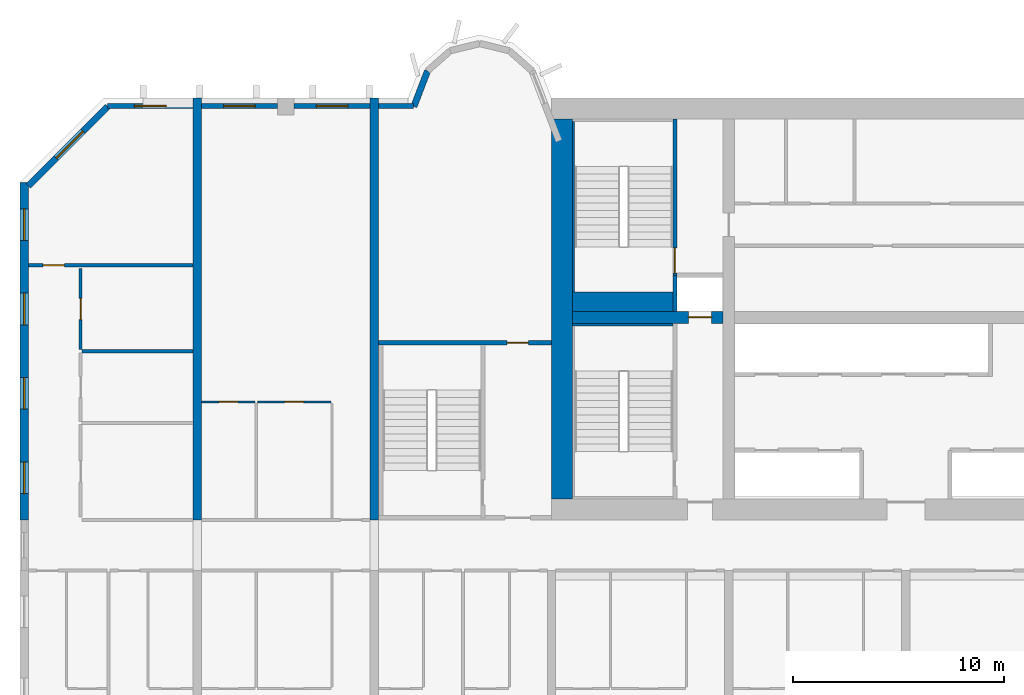
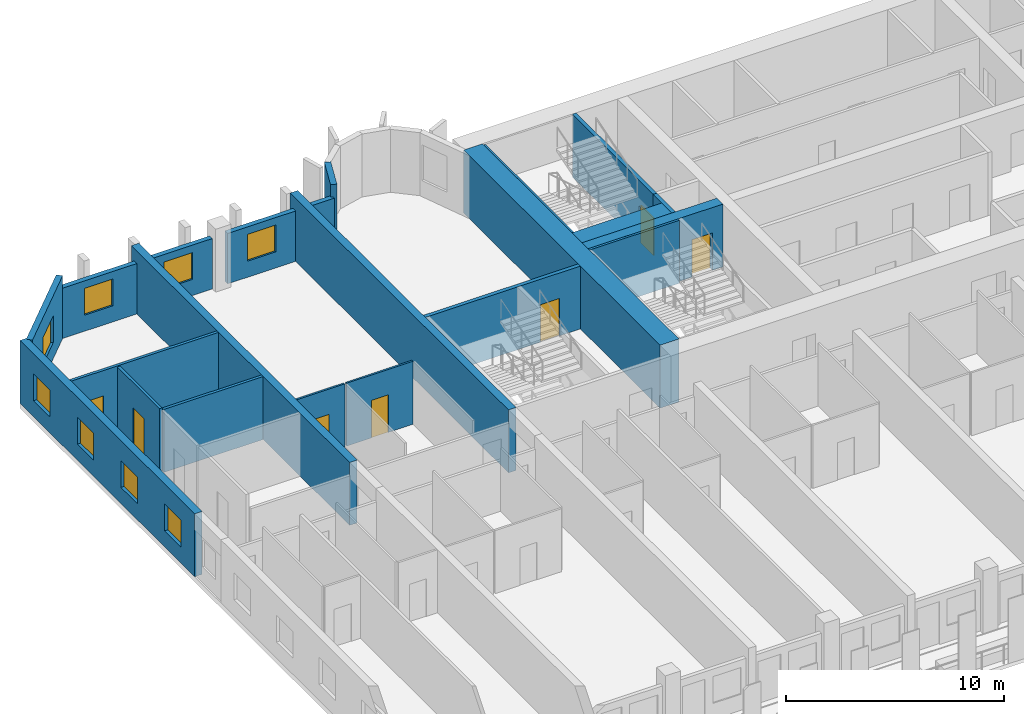
# One storey, part 6 of 14: 22 walls, 8 windows, 7 doors, 15 openings.
"""IFC4 building model written with IfcOpenShell, lengths in metres."""

from ifc_helpers import new_model, si_unit, direction, frame, frame_2d, origin, place, context, subcontext, project, spatial, rectangle, extrude, source, transform, mapped, material, layer, layer_set, type_object, element, fill, save


model = new_model("IFC4")

# Units and contexts
model_context = context("Model", 3, precision=1e-05, world=origin(), true_north=direction((0.0, 1.0)))
body_context = subcontext(model_context, "Body", "Model", "MODEL_VIEW")
ifc_project = project(units=[si_unit("LENGTHUNIT", "METRE"), si_unit("AREAUNIT", "SQUARE_METRE"), si_unit("VOLUMEUNIT", "CUBIC_METRE"), si_unit("PLANEANGLEUNIT", "RADIAN"), si_unit("MASSUNIT", "GRAM", prefix="KILO")], contexts=[model_context])

# Site, building, storey
site_placement = place(None, origin())
site = spatial("IfcSite", under=ifc_project, at=site_placement, CompositionType="ELEMENT")
building_placement = place(site_placement, origin())
building = spatial("IfcBuilding", under=site, at=building_placement, Name="Vanashikhar Sky Hotel", CompositionType="ELEMENT")
storey_placement = place(building_placement, frame((0.0, 0.0, 50.60009765625)))
storey = spatial("IfcBuildingStorey", under=building, at=storey_placement, Name="L11", CompositionType="ELEMENT", Elevation=50.60009765625)

# Wall
ifc_material_1 = material(Name="Concrete M80", Category="concrete")
ifc_layer_1 = layer(ifc_material_1, 1.0)
ifc_layer_set_1 = layer_set([ifc_layer_1], Name="RC core shell wall 1000 Concrete M80")
wall_type_1 = type_object("IfcWallType", Name="RC core shell wall 1000 Concrete M80", PredefinedType="SHEAR", material=ifc_layer_set_1)
shared_shape_1 = source(origin(), body_context, "Body", "SweptSolid", [
    extrude(rectangle(XDim=18.0, YDim=1.0, at=frame_2d((9.0, 0.0))), origin(), (0.0, 0.0, 1.0), 3.52001953125),
])
wall_1_placement = place(storey_placement, frame((25.699951171875, 23.0, 0.0), z_axis=(0.0, 0.0, 1.0), x_axis=(0.0, 1.0, 0.0)))
element("IfcWall", 1, at=wall_1_placement, inside=storey, type_object=wall_type_1, Name="KW-L11-KW", PredefinedType="SHEAR", context=body_context, shape_type="MappedRepresentation", body=[
    mapped(shared_shape_1, transform((0.0, 0.0, 0.0), scale=1.0)),
])

# Wall, opening, door
ifc_layer_2 = layer(ifc_material_1, 0.550048828125)
ifc_layer_set_2 = layer_set([ifc_layer_2], Name="RC core inner wall 550 Concrete M80")
wall_type_2 = type_object("IfcWallType", Name="RC core inner wall 550 Concrete M80", PredefinedType="SHEAR", material=ifc_layer_set_2)
shared_shape_2 = source(origin(), body_context, "Body", "SweptSolid", [
    extrude(rectangle(XDim=7.125, YDim=0.550048828125, at=frame_2d((3.5625, 0.0))), origin(), (0.0, 0.0, 1.0), 3.52001953125),
])
wall_2_placement = place(storey_placement, frame((26.199951171875, 31.60009765625, 0.0), z_axis=(0.0, 0.0, 1.0), x_axis=(1.0, 0.0, 0.0)))
wall_2 = element("IfcWall", 2, at=wall_2_placement, inside=storey, type_object=wall_type_2, Name="KW-L11-KY1", PredefinedType="SHEAR", context=body_context, shape_type="MappedRepresentation", body=[
    mapped(shared_shape_2, transform((0.0, 0.0, 0.0), scale=1.0)),
])
shared_shape_3 = source(origin(), body_context, "Body", "SweptSolid", [
    extrude(rectangle(XDim=1.10009765625, YDim=2.10009765625, at=frame_2d((0.550048828125, 1.050048828125))), frame((0.0, 0.28515625, 0.0), z_axis=(0.0, -1.0, 0.0), x_axis=(1.0, 0.0, 0.0)), (0.0, 0.0, 1.0), 0.570068359375),
])
opening_1_placement = place(wall_2_placement, frame((5.488037109375, 0.0, 0.0)))
opening_1 = element("IfcOpeningElement", 3, at=opening_1_placement, cuts=wall_2, Name="Opening LD", PredefinedType="OPENING", context=body_context, shape_type="MappedRepresentation", body=[
    mapped(shared_shape_3, transform((0.0, 0.0, 0.0), scale=1.0)),
])
ifc_material_2 = material(Name="Stainless steel", Category="steel")
door_type_1 = type_object("IfcDoorType", Name="Lift landing door 1100", OperationType="NOTDEFINED", PredefinedType="DOOR", material=ifc_material_2)
shared_shape_4 = source(origin(), body_context, "Body", "SweptSolid", [
    extrude(rectangle(XDim=1.10009765625, YDim=2.10009765625, at=frame_2d((0.550048828125, 1.050048828125))), frame((0.0, 0.02490234375, 0.0), z_axis=(0.0, -1.0, 0.0), x_axis=(1.0, 0.0, 0.0)), (0.0, 0.0, 1.0), 0.050048828125),
])
door_1_placement = place(opening_1_placement, origin())
door_1 = element("IfcDoor", 4, at=door_1_placement, inside=storey, type_object=door_type_1, Name="Lift landing door 1100", OperationType="SLIDING_TO_LEFT", OverallHeight=2.10009765625, OverallWidth=1.10009765625, PredefinedType="DOOR", context=body_context, shape_type="MappedRepresentation", body=[
    mapped(shared_shape_4, transform((0.0, 0.0, 0.0), scale=1.0)),
])
fill(opening_1, door_1)

# Wall, openings, windows
ifc_layer_3 = layer(ifc_material_1, 0.39990234375)
ifc_layer_set_3 = layer_set([ifc_layer_3], Name="RC shear wall 400 Concrete M80")
wall_type_3 = type_object("IfcWallType", Name="RC shear wall 400 Concrete M80", PredefinedType="SHEAR", material=ifc_layer_set_3)
shared_shape_5 = source(origin(), body_context, "Body", "SweptSolid", [
    extrude(rectangle(XDim=16.0, YDim=0.39990234375, at=frame_2d((8.0, 0.0))), origin(), (0.0, 0.0, 1.0), 3.52001953125),
])
wall_3_placement = place(storey_placement, frame((0.199951171875, 22.0, 0.0), z_axis=(0.0, 0.0, 1.0), x_axis=(0.0, 1.0, 0.0)))
wall_3 = element("IfcWall", 5, at=wall_3_placement, inside=storey, type_object=wall_type_3, Name="CW-L11-XW01-2", PredefinedType="SHEAR", context=body_context, shape_type="MappedRepresentation", body=[
    mapped(shared_shape_5, transform((0.0, 0.0, 0.0), scale=1.0)),
])
shared_shape_6 = source(origin(), body_context, "Body", "SweptSolid", [
    extrude(rectangle(XDim=1.5, YDim=1.5, at=frame_2d((0.75, 0.75))), frame((0.0, 0.2099609375, 0.0), z_axis=(0.0, -1.0, 0.0), x_axis=(1.0, 0.0, 0.0)), (0.0, 0.0, 1.0), 0.419921875),
])
opening_2_placement = place(wall_3_placement, frame((1.25, 0.0, 0.89990234375)))
opening_2 = element("IfcOpeningElement", 6, at=opening_2_placement, cuts=wall_3, Name="Opening WN-1", PredefinedType="OPENING", context=body_context, shape_type="MappedRepresentation", body=[
    mapped(shared_shape_6, transform((0.0, 0.0, 0.0), scale=1.0)),
])
opening_3_placement = place(wall_3_placement, frame((5.25, 0.0, 0.89990234375)))
opening_3 = element("IfcOpeningElement", 7, at=opening_3_placement, cuts=wall_3, Name="Opening WN-1", PredefinedType="OPENING", context=body_context, shape_type="MappedRepresentation", body=[
    mapped(shared_shape_6, transform((0.0, 0.0, 0.0), scale=1.0)),
])
opening_4_placement = place(wall_3_placement, frame((9.25, 0.0, 0.89990234375)))
opening_4 = element("IfcOpeningElement", 8, at=opening_4_placement, cuts=wall_3, Name="Opening WN-1", PredefinedType="OPENING", context=body_context, shape_type="MappedRepresentation", body=[
    mapped(shared_shape_6, transform((0.0, 0.0, 0.0), scale=1.0)),
])
opening_5_placement = place(wall_3_placement, frame((13.25, 0.0, 0.89990234375)))
opening_5 = element("IfcOpeningElement", 9, at=opening_5_placement, cuts=wall_3, Name="Opening WN-1", PredefinedType="OPENING", context=body_context, shape_type="MappedRepresentation", body=[
    mapped(shared_shape_6, transform((0.0, 0.0, 0.0), scale=1.0)),
])
ifc_material_3 = material(Name="Glass", Category="glass")
window_type_1 = type_object("IfcWindowType", Name="Window 1500 x 1500", PartitioningType="SINGLE_PANEL", PredefinedType="WINDOW", material=ifc_material_3)
shared_shape_7 = source(origin(), body_context, "Body", "SweptSolid", [
    extrude(rectangle(XDim=1.5, YDim=1.5, at=frame_2d((0.75, 0.75))), frame((0.0, 0.030029296875, 0.0), z_axis=(0.0, -1.0, 0.0), x_axis=(1.0, 0.0, 0.0)), (0.0, 0.0, 1.0), 0.06005859375),
])
window_1_placement = place(opening_2_placement, origin())
window_1 = element("IfcWindow", 10, at=window_1_placement, inside=storey, type_object=window_type_1, Name="Window WN-1", OverallHeight=1.5, OverallWidth=1.5, PartitioningType="SINGLE_PANEL", PredefinedType="WINDOW", context=body_context, shape_type="MappedRepresentation", body=[
    mapped(shared_shape_7, transform((0.0, 0.0, 0.0), scale=1.0)),
])
fill(opening_2, window_1)
window_2_placement = place(opening_3_placement, origin())
window_2 = element("IfcWindow", 11, at=window_2_placement, inside=storey, type_object=window_type_1, Name="Window WN-1", OverallHeight=1.5, OverallWidth=1.5, PartitioningType="SINGLE_PANEL", PredefinedType="WINDOW", context=body_context, shape_type="MappedRepresentation", body=[
    mapped(shared_shape_7, transform((0.0, 0.0, 0.0), scale=1.0)),
])
fill(opening_3, window_2)
window_3_placement = place(opening_4_placement, origin())
window_3 = element("IfcWindow", 12, at=window_3_placement, inside=storey, type_object=window_type_1, Name="Window WN-1", OverallHeight=1.5, OverallWidth=1.5, PartitioningType="SINGLE_PANEL", PredefinedType="WINDOW", context=body_context, shape_type="MappedRepresentation", body=[
    mapped(shared_shape_7, transform((0.0, 0.0, 0.0), scale=1.0)),
])
fill(opening_4, window_3)
window_4_placement = place(opening_5_placement, origin())
window_4 = element("IfcWindow", 13, at=window_4_placement, inside=storey, type_object=window_type_1, Name="Window WN-1", OverallHeight=1.5, OverallWidth=1.5, PartitioningType="SINGLE_PANEL", PredefinedType="WINDOW", context=body_context, shape_type="MappedRepresentation", body=[
    mapped(shared_shape_7, transform((0.0, 0.0, 0.0), scale=1.0)),
])
fill(opening_5, window_4)

# Walls
shared_shape_8 = source(origin(), body_context, "Body", "SweptSolid", [
    extrude(rectangle(XDim=20.0, YDim=0.39990234375, at=frame_2d((10.0, 0.0))), origin(), (0.0, 0.0, 1.0), 3.52001953125),
])
for number, where, z_axis, x_axis, name in (
    (14, (8.39990234375, 22.0, 0.0), (0.0, 0.0, 1.0), (0.0, 1.0, 0.0), "CW-L11-XW02-2"),
    (15, (16.800048828125, 22.0, 0.0), (0.0, 0.0, 1.0), (0.0, 1.0, 0.0), "CW-L11-XW03-2"),
):
    element("IfcWall", number, at=place(storey_placement, frame(where, z_axis=z_axis, x_axis=x_axis)), inside=storey, type_object=wall_type_3, Name=name, PredefinedType="SHEAR", context=body_context, shape_type="MappedRepresentation", body=[
        mapped(shared_shape_8, transform((0.0, 0.0, 0.0), scale=1.0)),
    ])

# Wall, opening, window
ifc_material_4 = material(Name="Concrete M50", Category="concrete")
ifc_layer_4 = layer(ifc_material_4, 0.300048828125)
ifc_layer_set_4 = layer_set([ifc_layer_4], Name="Lobe wall 300")
wall_type_4 = type_object("IfcWallType", Name="Lobe wall 300", PredefinedType="SOLIDWALL", material=ifc_layer_set_4)
shared_shape_9 = source(origin(), body_context, "Body", "SweptSolid", [
    extrude(rectangle(XDim=5.32568359375, YDim=0.300048828125, at=frame_2d((2.662841796875, 0.0))), origin(), (0.0, 0.0, 1.0), 3.52001953125),
])
wall_4_placement = place(storey_placement, frame((4.165771484375, 41.60009765625, 0.0), z_axis=(0.0, 0.0, 1.0), x_axis=(-0.707106781187, -0.707106781187, 0.0)))
wall_4 = element("IfcWall", 16, at=wall_4_placement, inside=storey, type_object=wall_type_4, Name="Corner wall", PredefinedType="SOLIDWALL", context=body_context, shape_type="MappedRepresentation", body=[
    mapped(shared_shape_9, transform((0.0, 0.0, 0.0), scale=1.0)),
])
shared_shape_10 = source(origin(), body_context, "Body", "SweptSolid", [
    extrude(rectangle(XDim=1.800048828125, YDim=1.5, at=frame_2d((0.89990234375, 0.75))), frame((0.0, 0.16015625, 0.0), z_axis=(0.0, -1.0, 0.0), x_axis=(1.0, 0.0, 0.0)), (0.0, 0.0, 1.0), 0.320068359375),
])
opening_6_placement = place(wall_4_placement, frame((1.654296875, 0.0, 0.89990234375)))
opening_6 = element("IfcOpeningElement", 17, at=opening_6_placement, cuts=wall_4, Name="Opening WN-4", PredefinedType="OPENING", context=body_context, shape_type="MappedRepresentation", body=[
    mapped(shared_shape_10, transform((0.0, 0.0, 0.0), scale=1.0)),
])
window_type_2 = type_object("IfcWindowType", Name="Corner window 1800 x 1500", PartitioningType="SINGLE_PANEL", PredefinedType="WINDOW", material=ifc_material_3)
shared_shape_11 = source(origin(), body_context, "Body", "SweptSolid", [
    extrude(rectangle(XDim=1.800048828125, YDim=1.5, at=frame_2d((0.89990234375, 0.75))), frame((0.0, 0.030029296875, 0.0), z_axis=(0.0, -1.0, 0.0), x_axis=(1.0, 0.0, 0.0)), (0.0, 0.0, 1.0), 0.06005859375),
])
window_5_placement = place(opening_6_placement, origin())
window_5 = element("IfcWindow", 18, at=window_5_placement, inside=storey, type_object=window_type_2, Name="Window WN-4", OverallHeight=1.5, OverallWidth=1.800048828125, PartitioningType="SINGLE_PANEL", PredefinedType="WINDOW", context=body_context, shape_type="MappedRepresentation", body=[
    mapped(shared_shape_11, transform((0.0, 0.0, 0.0), scale=1.0)),
])
fill(opening_6, window_5)

# Walls
shared_shape_12 = source(origin(), body_context, "Body", "SweptSolid", [
    extrude(rectangle(XDim=1.81201171875, YDim=0.300048828125, at=frame_2d((0.906005859375, 0.0))), origin(), (0.0, 0.0, 1.0), 3.52001953125),
])
wall_5_placement = place(storey_placement, frame((19.323486328125, 43.2919921875, 0.0), z_axis=(0.0, 0.0, 1.0), x_axis=(-0.357877270961, -0.93376863244, 0.0)))
element("IfcWall", 19, at=wall_5_placement, inside=storey, type_object=wall_type_4, Name="Lobe wall", PredefinedType="SOLIDWALL", context=body_context, shape_type="MappedRepresentation", body=[
    mapped(shared_shape_12, transform((0.0, 0.0, 0.0), scale=1.0)),
])
ifc_layer_5 = layer(ifc_material_4, 0.25)
ifc_layer_set_5 = layer_set([ifc_layer_5], Name="Rear and end board-marked wall 250")
wall_type_5 = type_object("IfcWallType", Name="Rear and end board-marked wall 250", PredefinedType="SOLIDWALL", material=ifc_layer_set_5)
shared_shape_13 = source(origin(), body_context, "Body", "SweptSolid", [
    extrude(rectangle(XDim=1.657958984375, YDim=0.25, at=frame_2d((0.8291015625, 0.0))), origin(), (0.0, 0.0, 1.0), 2.81982421875),
])
wall_6_placement = place(storey_placement, frame((18.657958984375, 41.625, 0.0), z_axis=(0.0, 0.0, 1.0), x_axis=(-1.0, 0.0, 0.0)))
element("IfcWall", 20, at=wall_6_placement, inside=storey, type_object=wall_type_5, Name="Rear board-marked wall", PredefinedType="SOLIDWALL", context=body_context, shape_type="MappedRepresentation", body=[
    mapped(shared_shape_13, transform((0.0, 0.0, 0.0), scale=1.0)),
])

# Wall, opening, window
shared_shape_14 = source(origin(), body_context, "Body", "SweptSolid", [
    extrude(rectangle(XDim=3.60009765625, YDim=0.25, at=frame_2d((1.800048828125, 0.0))), origin(), (0.0, 0.0, 1.0), 2.81982421875),
])
wall_7_placement = place(storey_placement, frame((16.60009765625, 41.625, 0.0), z_axis=(0.0, 0.0, 1.0), x_axis=(-1.0, 0.0, 0.0)))
wall_7 = element("IfcWall", 21, at=wall_7_placement, inside=storey, type_object=wall_type_5, Name="Rear board-marked wall", PredefinedType="SOLIDWALL", context=body_context, shape_type="MappedRepresentation", body=[
    mapped(shared_shape_14, transform((0.0, 0.0, 0.0), scale=1.0)),
])
shared_shape_15 = source(origin(), body_context, "Body", "SweptSolid", [
    extrude(rectangle(XDim=1.5, YDim=1.5, at=frame_2d((0.75, 0.75))), frame((0.0, 0.135009765625, 0.0), z_axis=(0.0, -1.0, 0.0), x_axis=(1.0, 0.0, 0.0)), (0.0, 0.0, 1.0), 0.27001953125),
])
opening_7_placement = place(wall_7_placement, frame((1.050048828125, 0.0, 0.89990234375)))
opening_7 = element("IfcOpeningElement", 22, at=opening_7_placement, cuts=wall_7, Name="Opening WN-1", PredefinedType="OPENING", context=body_context, shape_type="MappedRepresentation", body=[
    mapped(shared_shape_15, transform((0.0, 0.0, 0.0), scale=1.0)),
])
window_6_placement = place(opening_7_placement, origin())
window_6 = element("IfcWindow", 23, at=window_6_placement, inside=storey, type_object=window_type_1, Name="Window WN-1", OverallHeight=1.5, OverallWidth=1.5, PartitioningType="SINGLE_PANEL", PredefinedType="WINDOW", context=body_context, shape_type="MappedRepresentation", body=[
    mapped(shared_shape_7, transform((0.0, 0.0, 0.0), scale=1.0)),
])
fill(opening_7, window_6)

shared_shape_16 = source(origin(), body_context, "Body", "SweptSolid", [
    extrude(rectangle(XDim=3.599853515625, YDim=0.25, at=frame_2d((1.7998046875, 0.0))), origin(), (0.0, 0.0, 1.0), 2.81982421875),
])
wall_8_placement = place(storey_placement, frame((12.199951171875, 41.625, 0.0), z_axis=(0.0, 0.0, 1.0), x_axis=(-1.0, 0.0, 0.0)))
wall_8 = element("IfcWall", 24, at=wall_8_placement, inside=storey, type_object=wall_type_5, Name="Rear board-marked wall", PredefinedType="SOLIDWALL", context=body_context, shape_type="MappedRepresentation", body=[
    mapped(shared_shape_16, transform((0.0, 0.0, 0.0), scale=1.0)),
])
opening_8_placement = place(wall_8_placement, frame((1.050048828125, 0.0, 0.89990234375)))
opening_8 = element("IfcOpeningElement", 25, at=opening_8_placement, cuts=wall_8, Name="Opening WN-1", PredefinedType="OPENING", context=body_context, shape_type="MappedRepresentation", body=[
    mapped(shared_shape_15, transform((0.0, 0.0, 0.0), scale=1.0)),
])
window_7_placement = place(opening_8_placement, origin())
window_7 = element("IfcWindow", 26, at=window_7_placement, inside=storey, type_object=window_type_1, Name="Window WN-1", OverallHeight=1.5, OverallWidth=1.5, PartitioningType="SINGLE_PANEL", PredefinedType="WINDOW", context=body_context, shape_type="MappedRepresentation", body=[
    mapped(shared_shape_7, transform((0.0, 0.0, 0.0), scale=1.0)),
])
fill(opening_8, window_7)

shared_shape_17 = source(origin(), body_context, "Body", "SweptSolid", [
    extrude(rectangle(XDim=4.044677734375, YDim=0.25, at=frame_2d((2.0224609375, 0.0))), origin(), (0.0, 0.0, 1.0), 2.81982421875),
])
wall_9_placement = place(storey_placement, frame((8.199951171875, 41.625, 0.0), z_axis=(0.0, 0.0, 1.0), x_axis=(-1.0, 0.0, 0.0)))
wall_9 = element("IfcWall", 27, at=wall_9_placement, inside=storey, type_object=wall_type_5, Name="Rear board-marked wall", PredefinedType="SOLIDWALL", context=body_context, shape_type="MappedRepresentation", body=[
    mapped(shared_shape_17, transform((0.0, 0.0, 0.0), scale=1.0)),
])
opening_9_placement = place(wall_9_placement, frame((1.2724609375, 0.0, 0.89990234375)))
opening_9 = element("IfcOpeningElement", 28, at=opening_9_placement, cuts=wall_9, Name="Opening WN-1", PredefinedType="OPENING", context=body_context, shape_type="MappedRepresentation", body=[
    mapped(shared_shape_15, transform((0.0, 0.0, 0.0), scale=1.0)),
])
window_8_placement = place(opening_9_placement, origin())
window_8 = element("IfcWindow", 29, at=window_8_placement, inside=storey, type_object=window_type_1, Name="Window WN-1", OverallHeight=1.5, OverallWidth=1.5, PartitioningType="SINGLE_PANEL", PredefinedType="WINDOW", context=body_context, shape_type="MappedRepresentation", body=[
    mapped(shared_shape_7, transform((0.0, 0.0, 0.0), scale=1.0)),
])
fill(opening_9, window_8)

# Wall, opening, door
ifc_layer_6 = layer(ifc_material_4, 0.199951171875)
ifc_layer_set_6 = layer_set([ifc_layer_6], Name="Stair wall 200")
wall_type_6 = type_object("IfcWallType", Name="Stair wall 200", PredefinedType="SOLIDWALL", material=ifc_layer_set_6)
shared_shape_18 = source(origin(), body_context, "Body", "SweptSolid", [
    extrude(rectangle(XDim=8.199951171875, YDim=0.199951171875, at=frame_2d((4.10009765625, 0.0))), origin(), (0.0, 0.0, 1.0), 3.52001953125),
])
wall_10_placement = place(storey_placement, frame((17.0, 30.39990234375, 0.0), z_axis=(0.0, 0.0, 1.0), x_axis=(1.0, 0.0, 0.0)))
wall_10 = element("IfcWall", 30, at=wall_10_placement, inside=storey, type_object=wall_type_6, Name="Stair wall 200", PredefinedType="SOLIDWALL", context=body_context, shape_type="MappedRepresentation", body=[
    mapped(shared_shape_18, transform((0.0, 0.0, 0.0), scale=1.0)),
])
shared_shape_19 = source(origin(), body_context, "Body", "SweptSolid", [
    extrude(rectangle(XDim=1.0, YDim=2.10009765625, at=frame_2d((0.5, 1.050048828125))), frame((0.0, 0.10986328125, 0.0), z_axis=(0.0, -1.0, 0.0), x_axis=(1.0, 0.0, 0.0)), (0.0, 0.0, 1.0), 0.219970703125),
])
opening_10_placement = place(wall_10_placement, frame((6.10009765625, 0.0, 0.0)))
opening_10 = element("IfcOpeningElement", 31, at=opening_10_placement, cuts=wall_10, Name="Opening DC-6", PredefinedType="OPENING", context=body_context, shape_type="MappedRepresentation", body=[
    mapped(shared_shape_19, transform((0.0, 0.0, 0.0), scale=1.0)),
])
ifc_material_5 = material(Name="Steel", Category="steel")
door_type_2 = type_object("IfcDoorType", Name="Pocket door 1000 FD60", OperationType="NOTDEFINED", PredefinedType="DOOR", material=ifc_material_5)
shared_shape_20 = source(origin(), body_context, "Body", "SweptSolid", [
    extrude(rectangle(XDim=1.0, YDim=2.10009765625, at=frame_2d((0.5, 1.050048828125))), frame((0.0, 0.02490234375, 0.0), z_axis=(0.0, -1.0, 0.0), x_axis=(1.0, 0.0, 0.0)), (0.0, 0.0, 1.0), 0.050048828125),
])
door_2_placement = place(opening_10_placement, origin())
door_2 = element("IfcDoor", 32, at=door_2_placement, inside=storey, type_object=door_type_2, Name="Pocket door 1000 FD60", OperationType="SINGLE_SWING_RIGHT", OverallHeight=2.10009765625, OverallWidth=1.0, PredefinedType="DOOR", context=body_context, shape_type="MappedRepresentation", body=[
    mapped(shared_shape_20, transform((0.0, 0.0, 0.0), scale=1.0)),
])
fill(opening_10, door_2)

# Walls
ifc_layer_7 = layer(ifc_material_4, 0.10009765625)
ifc_layer_set_7 = layer_set([ifc_layer_7], Name="Stair infill wall 100")
wall_type_7 = type_object("IfcWallType", Name="Stair infill wall 100", PredefinedType="SOLIDWALL", material=ifc_layer_set_7)
shared_shape_21 = source(origin(), body_context, "Body", "SweptSolid", [
    extrude(rectangle(XDim=8.099853515625, YDim=0.10009765625, at=frame_2d((4.0498046875, 0.0))), origin(), (0.0, 0.0, 1.0), 3.52001953125),
])
wall_11_placement = place(storey_placement, frame((26.25, 32.800048828125, 0.0), z_axis=(0.0, 0.0, 1.0), x_axis=(0.0, 1.0, 0.0)))
element("IfcWall", 33, at=wall_11_placement, inside=storey, type_object=wall_type_7, Name="Stair infill wall 100", PredefinedType="SOLIDWALL", context=body_context, shape_type="MappedRepresentation", body=[
    mapped(shared_shape_21, transform((0.0, 0.0, 0.0), scale=1.0)),
])
ifc_material_6 = material(Name="Concrete M40", Category="concrete")
ifc_layer_8 = layer(ifc_material_6, 0.199951171875)
ifc_layer_set_8 = layer_set([ifc_layer_8], Name="Shaft wall 200")
wall_type_8 = type_object("IfcWallType", Name="Shaft wall 200", PredefinedType="SOLIDWALL", material=ifc_layer_set_8)
shared_shape_22 = source(origin(), body_context, "Body", "SweptSolid", [
    extrude(rectangle(XDim=1.72509765625, YDim=0.199951171875, at=frame_2d((0.862548828125, 0.0))), origin(), (0.0, 0.0, 1.0), 3.52001953125),
])
wall_12_placement = place(storey_placement, frame((31.050048828125, 31.875, 0.0), z_axis=(0.0, 0.0, 1.0), x_axis=(0.0, 1.0, 0.0)))
element("IfcWall", 34, at=wall_12_placement, inside=storey, type_object=wall_type_8, Name="Shaft wall 200", PredefinedType="SOLIDWALL", context=body_context, shape_type="MappedRepresentation", body=[
    mapped(shared_shape_22, transform((0.0, 0.0, 0.0), scale=1.0)),
])

# Wall, opening, door
shared_shape_23 = source(origin(), body_context, "Body", "SweptSolid", [
    extrude(rectangle(XDim=7.39990234375, YDim=0.199951171875, at=frame_2d((3.699951171875, 0.0))), origin(), (0.0, 0.0, 1.0), 3.52001953125),
])
wall_13_placement = place(storey_placement, frame((31.050048828125, 33.60009765625, 0.0), z_axis=(0.0, 0.0, 1.0), x_axis=(0.0, 1.0, 0.0)))
wall_13 = element("IfcWall", 35, at=wall_13_placement, inside=storey, type_object=wall_type_6, Name="Stair wall 200", PredefinedType="SOLIDWALL", context=body_context, shape_type="MappedRepresentation", body=[
    mapped(shared_shape_23, transform((0.0, 0.0, 0.0), scale=1.0)),
])
shared_shape_24 = source(origin(), body_context, "Body", "SweptSolid", [
    extrude(rectangle(XDim=1.199951171875, YDim=2.10009765625, at=frame_2d((0.60009765625, 1.050048828125))), frame((0.0, 0.10986328125, 0.0), z_axis=(0.0, -1.0, 0.0), x_axis=(1.0, 0.0, 0.0)), (0.0, 0.0, 1.0), 0.219970703125),
])
opening_11_placement = place(wall_13_placement, frame((0.10009765625, 0.0, 0.0)))
opening_11 = element("IfcOpeningElement", 36, at=opening_11_placement, cuts=wall_13, Name="Opening DC-1", PredefinedType="OPENING", context=body_context, shape_type="MappedRepresentation", body=[
    mapped(shared_shape_24, transform((0.0, 0.0, 0.0), scale=1.0)),
])
door_type_3 = type_object("IfcDoorType", Name="Stair door 1200 FD120", OperationType="NOTDEFINED", PredefinedType="DOOR", material=ifc_material_5)
shared_shape_25 = source(origin(), body_context, "Body", "SweptSolid", [
    extrude(rectangle(XDim=1.199951171875, YDim=2.10009765625, at=frame_2d((0.60009765625, 1.050048828125))), frame((0.0, 0.02490234375, 0.0), z_axis=(0.0, -1.0, 0.0), x_axis=(1.0, 0.0, 0.0)), (0.0, 0.0, 1.0), 0.050048828125),
])
door_3_placement = place(opening_11_placement, origin())
door_3 = element("IfcDoor", 37, at=door_3_placement, inside=storey, type_object=door_type_3, Name="Stair door 1200 FD120", OperationType="SINGLE_SWING_LEFT", OverallHeight=2.10009765625, OverallWidth=1.199951171875, PredefinedType="DOOR", context=body_context, shape_type="MappedRepresentation", body=[
    mapped(shared_shape_25, transform((0.0, 0.0, 0.0), scale=1.0)),
])
fill(opening_11, door_3)

# Walls
ifc_layer_9 = layer(ifc_material_4, 0.125)
ifc_layer_set_9 = layer_set([ifc_layer_9], Name="Stair infill wall 125")
wall_type_9 = type_object("IfcWallType", Name="Stair infill wall 125", PredefinedType="SOLIDWALL", material=ifc_layer_set_9)
shared_shape_26 = source(origin(), body_context, "Body", "SweptSolid", [
    extrude(rectangle(XDim=4.75, YDim=0.125, at=frame_2d((2.375, 0.0))), origin(), (0.0, 0.0, 1.0), 3.52001953125),
])
wall_14_placement = place(storey_placement, frame((26.199951171875, 31.261962890625, 0.0), z_axis=(0.0, 0.0, 1.0), x_axis=(1.0, 0.0, 0.0)))
element("IfcWall", 38, at=wall_14_placement, inside=storey, type_object=wall_type_9, Name="Stair infill wall 125", PredefinedType="SOLIDWALL", context=body_context, shape_type="MappedRepresentation", body=[
    mapped(shared_shape_26, transform((0.0, 0.0, 0.0), scale=1.0)),
])
ifc_layer_10 = layer(ifc_material_4, 0.925048828125)
ifc_layer_set_10 = layer_set([ifc_layer_10], Name="Stair infill wall 925")
wall_type_10 = type_object("IfcWallType", Name="Stair infill wall 925", PredefinedType="SOLIDWALL", material=ifc_layer_set_10)
shared_shape_27 = source(origin(), body_context, "Body", "SweptSolid", [
    extrude(rectangle(XDim=4.75, YDim=0.925048828125, at=frame_2d((2.375, 0.0))), origin(), (0.0, 0.0, 1.0), 3.52001953125),
])
wall_15_placement = place(storey_placement, frame((26.199951171875, 32.3369140625, 0.0), z_axis=(0.0, 0.0, 1.0), x_axis=(1.0, 0.0, 0.0)))
element("IfcWall", 39, at=wall_15_placement, inside=storey, type_object=wall_type_10, Name="Stair infill wall 925", PredefinedType="SOLIDWALL", context=body_context, shape_type="MappedRepresentation", body=[
    mapped(shared_shape_27, transform((0.0, 0.0, 0.0), scale=1.0)),
])

# Wall, opening, door
ifc_material_7 = material(Name="Gypsum plasterboard partition")
ifc_layer_11 = layer(ifc_material_7, 0.14990234375)
ifc_layer_set_11 = layer_set([ifc_layer_11], Name="Corridor and demising partition 150")
wall_type_11 = type_object("IfcWallType", Name="Corridor and demising partition 150", PredefinedType="PARTITIONING", material=ifc_layer_set_11)
shared_shape_28 = source(origin(), body_context, "Body", "SweptSolid", [
    extrude(rectangle(XDim=3.85009765625, YDim=0.14990234375, at=frame_2d((1.925048828125, 0.0))), origin(), (0.0, 0.0, 1.0), 3.52001953125),
])
wall_16_placement = place(storey_placement, frame((2.875, 30.074951171875, 0.0), z_axis=(0.0, 0.0, 1.0), x_axis=(0.0, 1.0, 0.0)))
wall_16 = element("IfcWall", 40, at=wall_16_placement, inside=storey, type_object=wall_type_11, Name="W-L11-PW078", PredefinedType="PARTITIONING", context=body_context, shape_type="MappedRepresentation", body=[
    mapped(shared_shape_28, transform((0.0, 0.0, 0.0), scale=1.0)),
])
shared_shape_29 = source(origin(), body_context, "Body", "SweptSolid", [
    extrude(rectangle(XDim=1.0, YDim=2.10009765625, at=frame_2d((0.5, 1.050048828125))), frame((0.0, 0.0849609375, 0.0), z_axis=(0.0, -1.0, 0.0), x_axis=(1.0, 0.0, 0.0)), (0.0, 0.0, 1.0), 0.169921875),
])
opening_12_placement = place(wall_16_placement, frame((1.425048828125, 0.0, 0.0)))
opening_12 = element("IfcOpeningElement", 41, at=opening_12_placement, cuts=wall_16, Name="Opening D-01", PredefinedType="OPENING", context=body_context, shape_type="MappedRepresentation", body=[
    mapped(shared_shape_29, transform((0.0, 0.0, 0.0), scale=1.0)),
])
ifc_material_8 = material(Name="Timber fire door", Category="wood")
door_type_4 = type_object("IfcDoorType", Name="Guest entry door 1000 FD30S", OperationType="NOTDEFINED", PredefinedType="DOOR", material=ifc_material_8)
door_4_placement = place(opening_12_placement, origin())
door_4 = element("IfcDoor", 42, at=door_4_placement, inside=storey, type_object=door_type_4, Name="D-L11-044", OperationType="SINGLE_SWING_LEFT", OverallHeight=2.10009765625, OverallWidth=1.0, PredefinedType="DOOR", context=body_context, shape_type="MappedRepresentation", body=[
    mapped(shared_shape_20, transform((0.0, 0.0, 0.0), scale=1.0)),
])
fill(opening_12, door_4)

ifc_layer_12 = layer(ifc_material_7, 0.10009765625)
ifc_layer_set_12 = layer_set([ifc_layer_12], Name="Wet room partition 100")
wall_type_12 = type_object("IfcWallType", Name="Wet room partition 100", PredefinedType="PARTITIONING", material=ifc_layer_set_12)
shared_shape_30 = source(origin(), body_context, "Body", "SweptSolid", [
    extrude(rectangle(XDim=3.5, YDim=0.10009765625, at=frame_2d((1.75, 0.0))), origin(), (0.0, 0.0, 1.0), 3.52001953125),
])
wall_17_placement = place(storey_placement, frame((11.25, 27.60009765625, 0.0), z_axis=(0.0, 0.0, 1.0), x_axis=(1.0, 0.0, 0.0)))
wall_17 = element("IfcWall", 43, at=wall_17_placement, inside=storey, type_object=wall_type_12, Name="W-L11-PW082", PredefinedType="PARTITIONING", context=body_context, shape_type="MappedRepresentation", body=[
    mapped(shared_shape_30, transform((0.0, 0.0, 0.0), scale=1.0)),
])
shared_shape_31 = source(origin(), body_context, "Body", "SweptSolid", [
    extrude(rectangle(XDim=0.89990234375, YDim=2.10009765625, at=frame_2d((0.449951171875, 1.050048828125))), frame((0.0, 0.06005859375, 0.0), z_axis=(0.0, -1.0, 0.0), x_axis=(1.0, 0.0, 0.0)), (0.0, 0.0, 1.0), 0.1201171875),
])
opening_13_placement = place(wall_17_placement, frame((1.300048828125, 0.0, 0.0)))
opening_13 = element("IfcOpeningElement", 44, at=opening_13_placement, cuts=wall_17, Name="Opening D-02", PredefinedType="OPENING", context=body_context, shape_type="MappedRepresentation", body=[
    mapped(shared_shape_31, transform((0.0, 0.0, 0.0), scale=1.0)),
])
ifc_material_9 = material(Name="Timber door", Category="wood")
door_type_5 = type_object("IfcDoorType", Name="Internal door 900", OperationType="NOTDEFINED", PredefinedType="DOOR", material=ifc_material_9)
shared_shape_32 = source(origin(), body_context, "Body", "SweptSolid", [
    extrude(rectangle(XDim=0.89990234375, YDim=2.10009765625, at=frame_2d((0.449951171875, 1.050048828125))), frame((0.0, 0.02490234375, 0.0), z_axis=(0.0, -1.0, 0.0), x_axis=(1.0, 0.0, 0.0)), (0.0, 0.0, 1.0), 0.050048828125),
])
door_5_placement = place(opening_13_placement, origin())
door_5 = element("IfcDoor", 45, at=door_5_placement, inside=storey, type_object=door_type_5, Name="D-L11-046", OperationType="SINGLE_SWING_RIGHT", OverallHeight=2.10009765625, OverallWidth=0.89990234375, PredefinedType="DOOR", context=body_context, shape_type="MappedRepresentation", body=[
    mapped(shared_shape_32, transform((0.0, 0.0, 0.0), scale=1.0)),
])
fill(opening_13, door_5)

shared_shape_33 = source(origin(), body_context, "Body", "SweptSolid", [
    extrude(rectangle(XDim=2.5498046875, YDim=0.10009765625, at=frame_2d((1.27490234375, 0.0))), origin(), (0.0, 0.0, 1.0), 3.52001953125),
])
wall_18_placement = place(storey_placement, frame((8.60009765625, 27.60009765625, 0.0), z_axis=(0.0, 0.0, 1.0), x_axis=(1.0, 0.0, 0.0)))
wall_18 = element("IfcWall", 46, at=wall_18_placement, inside=storey, type_object=wall_type_12, Name="W-L11-PW083", PredefinedType="PARTITIONING", context=body_context, shape_type="MappedRepresentation", body=[
    mapped(shared_shape_33, transform((0.0, 0.0, 0.0), scale=1.0)),
])
opening_14_placement = place(wall_18_placement, frame((0.824951171875, 0.0, 0.0)))
opening_14 = element("IfcOpeningElement", 47, at=opening_14_placement, cuts=wall_18, Name="Opening D-02", PredefinedType="OPENING", context=body_context, shape_type="MappedRepresentation", body=[
    mapped(shared_shape_31, transform((0.0, 0.0, 0.0), scale=1.0)),
])
door_6_placement = place(opening_14_placement, origin())
door_6 = element("IfcDoor", 48, at=door_6_placement, inside=storey, type_object=door_type_5, Name="D-L11-047", OperationType="SINGLE_SWING_RIGHT", OverallHeight=2.10009765625, OverallWidth=0.89990234375, PredefinedType="DOOR", context=body_context, shape_type="MappedRepresentation", body=[
    mapped(shared_shape_32, transform((0.0, 0.0, 0.0), scale=1.0)),
])
fill(opening_14, door_6)

# Wall
shared_shape_34 = source(origin(), body_context, "Body", "SweptSolid", [
    extrude(rectangle(XDim=5.25, YDim=0.14990234375, at=frame_2d((2.625, 0.0))), origin(), (0.0, 0.0, 1.0), 3.52001953125),
])
wall_19_placement = place(storey_placement, frame((2.949951171875, 30.0, 0.0), z_axis=(0.0, 0.0, 1.0), x_axis=(1.0, 0.0, 0.0)))
element("IfcWall", 49, at=wall_19_placement, inside=storey, type_object=wall_type_11, Name="W-L11-PW077", PredefinedType="PARTITIONING", context=body_context, shape_type="MappedRepresentation", body=[
    mapped(shared_shape_34, transform((0.0, 0.0, 0.0), scale=1.0)),
])

# Wall, opening, door
shared_shape_35 = source(origin(), body_context, "Body", "SweptSolid", [
    extrude(rectangle(XDim=7.800048828125, YDim=0.14990234375, at=frame_2d((3.89990234375, 0.0))), origin(), (0.0, 0.0, 1.0), 3.52001953125),
])
wall_20_placement = place(storey_placement, frame((0.39990234375, 34.074951171875, 0.0), z_axis=(0.0, 0.0, 1.0), x_axis=(1.0, 0.0, 0.0)))
wall_20 = element("IfcWall", 50, at=wall_20_placement, inside=storey, type_object=wall_type_11, Name="W-L11-PW079", PredefinedType="PARTITIONING", context=body_context, shape_type="MappedRepresentation", body=[
    mapped(shared_shape_35, transform((0.0, 0.0, 0.0), scale=1.0)),
])
opening_15_placement = place(wall_20_placement, frame((0.699951171875, 0.0, 0.0)))
opening_15 = element("IfcOpeningElement", 51, at=opening_15_placement, cuts=wall_20, Name="Opening D-01", PredefinedType="OPENING", context=body_context, shape_type="MappedRepresentation", body=[
    mapped(shared_shape_29, transform((0.0, 0.0, 0.0), scale=1.0)),
])
door_7_placement = place(opening_15_placement, origin())
door_7 = element("IfcDoor", 52, at=door_7_placement, inside=storey, type_object=door_type_4, Name="D-L11-045", OperationType="SINGLE_SWING_LEFT", OverallHeight=2.10009765625, OverallWidth=1.0, PredefinedType="DOOR", context=body_context, shape_type="MappedRepresentation", body=[
    mapped(shared_shape_20, transform((0.0, 0.0, 0.0), scale=1.0)),
])
fill(opening_15, door_7)

save(model, "model.ifc")
